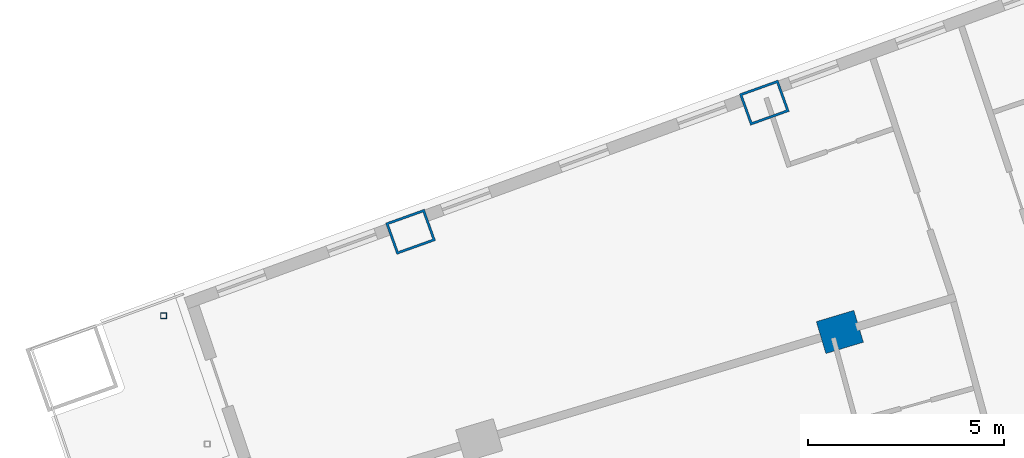
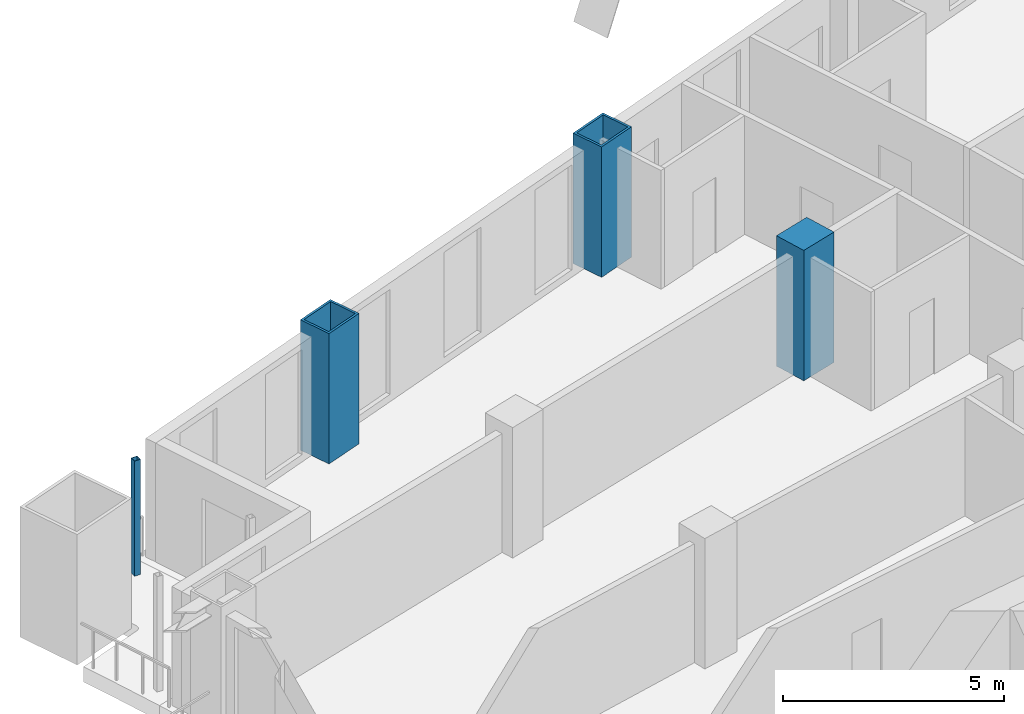
# One storey, part 9 of 25: 4 columns.
"""IFC4 building model written with IfcOpenShell, lengths in metres."""

from ifc_helpers import new_model, si_unit, direction, frame, origin, origin_2d, place, context, subcontext, project, spatial, rectangle, hollow_rectangle, extrude, material, material_profile, profile_set, type_object, element, save


model = new_model("IFC4")

# Units and contexts
model_context = context("Model", 3, precision=1e-05, world=origin(), true_north=direction((0.0, 1.0)))
body_context = subcontext(model_context, "Body", "Model", "MODEL_VIEW")
ifc_project = project(units=[si_unit("LENGTHUNIT", "METRE"), si_unit("AREAUNIT", "SQUARE_METRE"), si_unit("VOLUMEUNIT", "CUBIC_METRE"), si_unit("PLANEANGLEUNIT", "RADIAN"), si_unit("MASSUNIT", "GRAM", prefix="KILO")], contexts=[model_context])

# Site, building, storey
site_placement = place(None, origin())
site = spatial("IfcSite", under=ifc_project, at=site_placement, CompositionType="ELEMENT")
building_placement = place(site_placement, origin())
building = spatial("IfcBuilding", under=site, at=building_placement, Name="Alderwake Tower", CompositionType="ELEMENT")
storey_placement = place(building_placement, frame((0.0, 0.0, 89.60009765625)))
storey = spatial("IfcBuildingStorey", under=building, at=storey_placement, Name="L21", CompositionType="ELEMENT", Elevation=89.60009765625)

# Columns
ifc_material_1 = material(Name="Steel ASTM A572 Grade 50 concrete filled C70/85", Category="concrete")
ifc_material_profile_1 = material_profile(ifc_material_1, hollow_rectangle(XDim=0.85009765625, YDim=1.050048828125, WallThickness=0.06005859375, at=origin_2d()), Name="BOX 1050X850X60")
ifc_profile_set_1 = profile_set([ifc_material_profile_1], Name="Steel ASTM A572 Grade 50 concrete filled C70/85")
column_type_1 = type_object("IfcColumnType", Name="End column Z2", PredefinedType="COLUMN", material=ifc_profile_set_1)
for number, where, z_axis, x_axis, name in (
    (1, (19.965576171875, 96.8515625, 0.0), (0.0, 0.0, 1.0), (-0.337584879279, 0.9412950915, 0.0), "Column R13-C1"),
    (2, (28.983642578125, 100.143310546875, 0.0), (0.0, 0.0, 1.0), (-0.338026774049, 0.941136493834, 0.0), "Column R13-C2"),
):
    element("IfcColumn", number, at=place(storey_placement, frame(where, z_axis=z_axis, x_axis=x_axis)), inside=storey, type_object=column_type_1, Name=name, PredefinedType="COLUMN", context=body_context, shape_type="SweptSolid", body=[
        extrude(hollow_rectangle(XDim=0.85009765625, YDim=1.050048828125, WallThickness=0.06005859375, at=origin_2d()), origin(), (0.0, 0.0, 1.0), 3.599853515625),
    ])
ifc_material_2 = material(Name="Concrete C70/85", Category="concrete")
ifc_material_profile_2 = material_profile(ifc_material_2, rectangle(XDim=0.85009765625, YDim=1.0, at=origin_2d()), Name="RC 1000X850")
ifc_profile_set_2 = profile_set([ifc_material_profile_2], Name="Concrete C70/85")
column_type_2 = type_object("IfcColumnType", Name="Interior column Z2", PredefinedType="COLUMN", material=ifc_profile_set_2)
column_1_placement = place(storey_placement, frame((30.9091796875, 94.298095703125, 0.0), z_axis=(0.0, 0.0, 1.0), x_axis=(-0.287549418125, 0.957765802342, 0.0)))
element("IfcColumn", 3, at=column_1_placement, inside=storey, type_object=column_type_2, Name="Column R12-C2", PredefinedType="COLUMN", context=body_context, shape_type="SweptSolid", body=[
    extrude(rectangle(XDim=0.85009765625, YDim=1.0, at=origin_2d()), origin(), (0.0, 0.0, 1.0), 3.599853515625),
])
ifc_material_3 = material(Name="Steel ASTM A500 Grade C", Category="steel")
ifc_material_profile_3 = material_profile(ifc_material_3, hollow_rectangle(XDim=0.15234375, YDim=0.15234375, WallThickness=0.0087890625, at=origin_2d()), Name="HSS6X6X3/8")
ifc_profile_set_3 = profile_set([ifc_material_profile_3], Name="Steel ASTM A500 Grade C")
column_type_3 = type_object("IfcColumnType", Name="Light post HSS6X6X3/8", PredefinedType="COLUMN", material=ifc_profile_set_3)
column_2_placement = place(storey_placement, frame((13.66796875, 94.71240234375, 0.0), z_axis=(0.0, 0.0, 1.0), x_axis=(1.0, 0.0, 0.0)))
element("IfcColumn", 4, at=column_2_placement, inside=storey, type_object=column_type_3, Name="Terrace post RN2", PredefinedType="COLUMN", context=body_context, shape_type="SweptSolid", body=[
    extrude(hollow_rectangle(XDim=0.15234375, YDim=0.15234375, WallThickness=0.0087890625, at=origin_2d()), origin(), (0.0, 0.0, 1.0), 3.179931640625),
])

save(model, "model.ifc")
